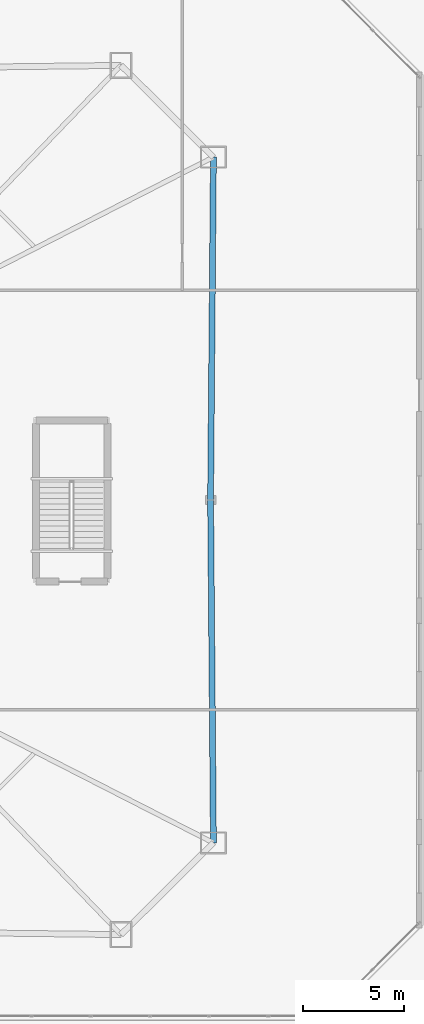
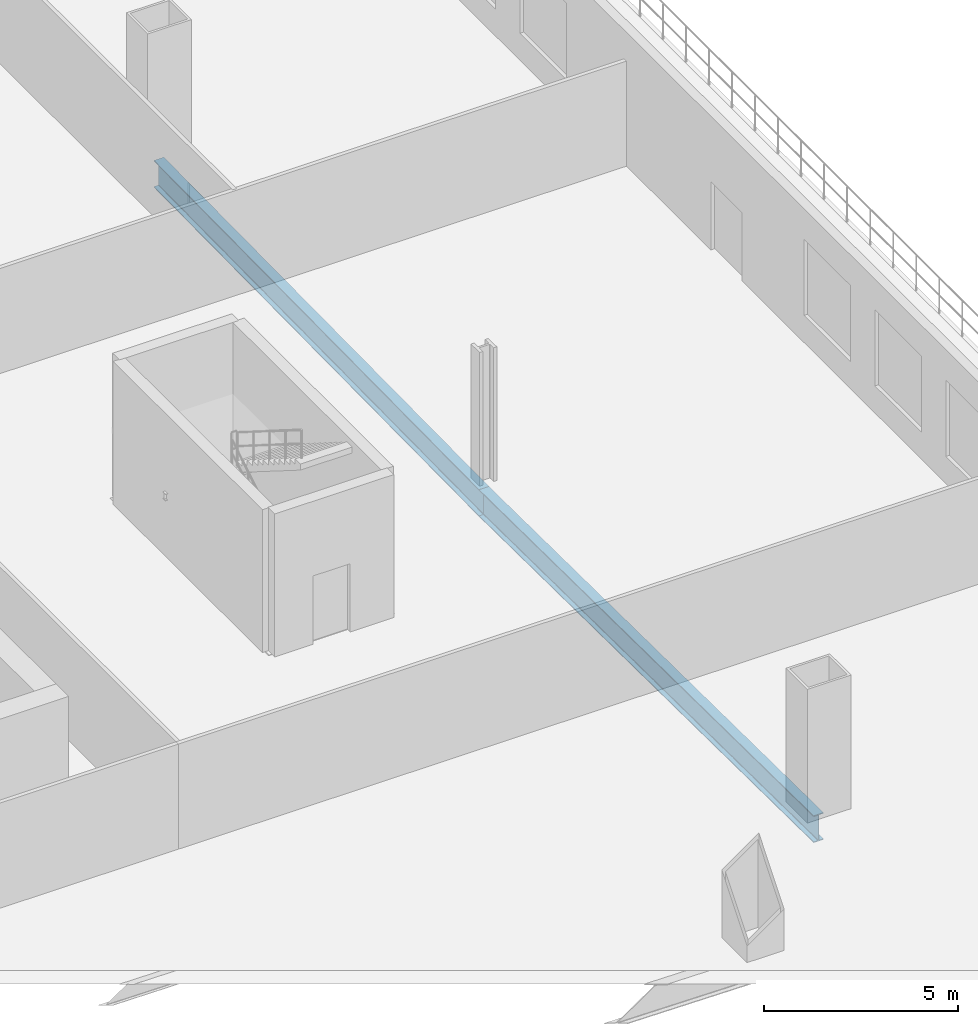
# One storey, part 21 of 31: 2 beams.
"""IFC4 building model written with IfcOpenShell, lengths in metres."""

from ifc_helpers import new_model, si_unit, direction, frame, origin, origin_2d, place, context, subcontext, project, spatial, i_section, extrude, material, material_profile, profile_set, type_object, element, save


model = new_model("IFC4")

# Units and contexts
model_context = context("Model", 3, precision=1e-05, world=origin(), true_north=direction((0.0, 1.0)))
body_context = subcontext(model_context, "Body", "Model", "MODEL_VIEW")
ifc_project = project(units=[si_unit("LENGTHUNIT", "METRE"), si_unit("AREAUNIT", "SQUARE_METRE"), si_unit("VOLUMEUNIT", "CUBIC_METRE"), si_unit("PLANEANGLEUNIT", "RADIAN"), si_unit("MASSUNIT", "GRAM", prefix="KILO")], contexts=[model_context])

# Site, building, storey
site_placement = place(None, origin())
site = spatial("IfcSite", under=ifc_project, at=site_placement, CompositionType="ELEMENT")
building_placement = place(site_placement, origin())
building = spatial("IfcBuilding", under=site, at=building_placement, Name="Caelvoria Tower", CompositionType="ELEMENT")
storey_placement = place(building_placement, frame((0.0, 0.0, 9.5)))
storey = spatial("IfcBuildingStorey", under=building, at=storey_placement, Name="L02", CompositionType="ELEMENT", Elevation=9.5)

# Beams
ifc_material = material(Name="Structural Steel ASTM A992 Gr.50", Category="steel")
ifc_material_profile = material_profile(ifc_material, i_section(OverallWidth=0.2939453125, OverallDepth=0.85107421875, WebThickness=0.01611328125, FlangeThickness=0.02685546875, FilletRadius=0.02197265625, at=origin_2d()), Name="Structural Steel ASTM A992 Gr.50")
ifc_profile_set = profile_set([ifc_material_profile], Name="W840X226 - Structural Steel ASTM A992 Gr.50")
beam_type = type_object("IfcBeamType", Name="Podium Long-Span Girder W840X226", PredefinedType="BEAM", material=ifc_profile_set)
for number, where, z_axis, x_axis, name in (
    (1, (72.6416015625, 14.984375, -0.70556640625), (-0.00832156677, 0.999965375164, 0.0), (-0.999965375164, -0.00832156677, 0.0), "Perimeter Spandrel Girder L02-03"),
    (2, (72.5, 32.0, -0.70556640625), (0.00832156677, 0.999965375164, 0.0), (-0.999965375164, 0.00832156677, 0.0), "Perimeter Spandrel Girder L02-04"),
):
    element("IfcBeam", number, at=place(storey_placement, frame(where, z_axis=z_axis, x_axis=x_axis)), inside=storey, type_object=beam_type, Name=name, PredefinedType="BEAM", context=body_context, shape_type="SweptSolid", body=[
        extrude(i_section(OverallWidth=0.2939453125, OverallDepth=0.85107421875, WebThickness=0.01611328125, FlangeThickness=0.02685546875, FilletRadius=0.02197265625, at=origin_2d()), origin(), (0.0, 0.0, 1.0), 17.01611328125),
    ])

save(model, "model.ifc")
